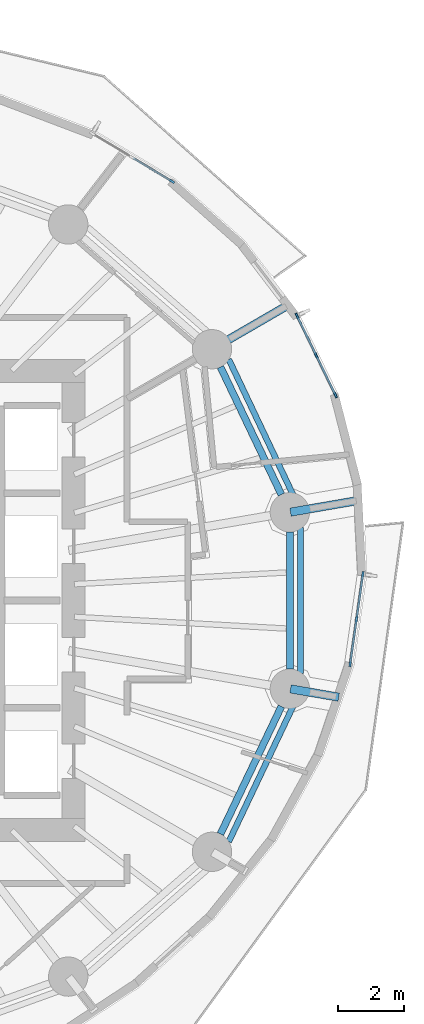
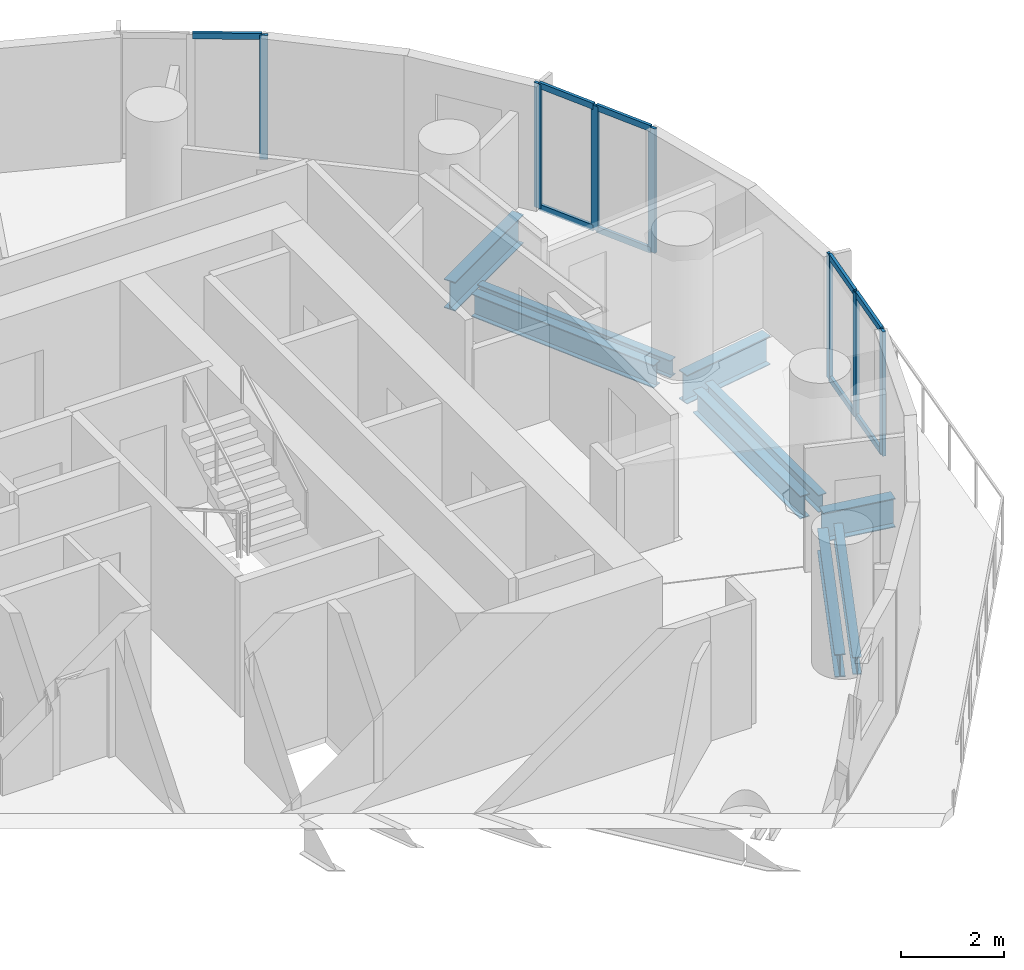
# One storey, part 5 of 14: 16 members, 9 beams, 3 elements without a shape of their own.
"""IFC4 building model written with IfcOpenShell, lengths in metres."""

from ifc_helpers import new_model, si_unit, direction, frame, origin, origin_2d, place, context, subcontext, project, spatial, rectangle, i_section, extrude, material, material_profile, profile_set, type_object, element, aggregate, save


model = new_model("IFC4")

# Units and contexts
model_context = context("Model", 3, precision=1e-05, world=origin(), true_north=direction((0.0, 1.0)))
body_context = subcontext(model_context, "Body", "Model", "MODEL_VIEW")
ifc_project = project(units=[si_unit("LENGTHUNIT", "METRE"), si_unit("AREAUNIT", "SQUARE_METRE"), si_unit("VOLUMEUNIT", "CUBIC_METRE"), si_unit("PLANEANGLEUNIT", "RADIAN"), si_unit("MASSUNIT", "GRAM", prefix="KILO")], contexts=[model_context])

# Site, building, storey
site_placement = place(None, origin())
site = spatial("IfcSite", under=ifc_project, at=site_placement, CompositionType="ELEMENT")
building_placement = place(site_placement, origin())
building = spatial("IfcBuilding", under=site, at=building_placement, Name="Veldorim Arch Residences", CompositionType="ELEMENT")
storey_placement = place(building_placement, frame((0.0, 0.0, 83.679931640625)))
storey = spatial("IfcBuildingStorey", under=building, at=storey_placement, Name="L24", CompositionType="ELEMENT", Elevation=83.679931640625)

# Beams
ifc_material_1 = material(Name="Steel S355", Category="steel")
ifc_material_profile_1 = material_profile(ifc_material_1, i_section(OverallWidth=0.2119140625, OverallDepth=0.54443359375, WebThickness=0.0126953125, FlangeThickness=0.021240234375, at=origin_2d()), Name="UB533x210x122")
ifc_profile_set_1 = profile_set([ifc_material_profile_1], Name="Steel S355")
beam_type_1 = type_object("IfcBeamType", Name="Structural Steel Beam UB533x210x122", PredefinedType="BEAM", material=ifc_profile_set_1)
for number, where, z_axis, x_axis, name in (
    (1, (47.336181640625, 27.233642578125, -0.51220703125), (-0.430720154476, 0.902485539235, 0.0), (-0.902485539235, -0.430720154476, 0.0), "L24 perimeter ring tie beam 01"),
    (2, (45.478759765625, 16.87451171875, -0.51220703125), (0.430720154476, 0.902485539235, 0.0), (-0.902485539235, 0.430720154476, 0.0), "L24 perimeter ring tie beam 15"),
):
    element("IfcBeam", number, at=place(storey_placement, frame(where, z_axis=z_axis, x_axis=x_axis)), inside=storey, type_object=beam_type_1, Name=name, PredefinedType="BEAM", context=body_context, shape_type="SweptSolid", body=[
        extrude(i_section(OverallWidth=0.2119140625, OverallDepth=0.54443359375, WebThickness=0.0126953125, FlangeThickness=0.021240234375, at=origin_2d()), origin(), (0.0, 0.0, 1.0), 4.312255859375),
    ])
beam_1_placement = place(storey_placement, frame((47.594482421875, 21.90771484375, -0.51220703125), z_axis=(0.0, 1.0, 0.0), x_axis=(-1.0, 0.0, 0.0)))
element("IfcBeam", 3, at=beam_1_placement, inside=storey, type_object=beam_type_1, Name="L24 perimeter ring tie beam 16", PredefinedType="BEAM", context=body_context, shape_type="SweptSolid", body=[
    extrude(i_section(OverallWidth=0.2119140625, OverallDepth=0.54443359375, WebThickness=0.0126953125, FlangeThickness=0.021240234375, at=origin_2d()), origin(), (0.0, 0.0, 1.0), 4.1845703125),
])
ifc_material_2 = material(Name="Steel S355", Category="steel")
ifc_material_profile_2 = material_profile(ifc_material_2, i_section(OverallWidth=0.25439453125, OverallDepth=0.6875, WebThickness=0.01318359375, FlangeThickness=0.02099609375, at=origin_2d()), Name="UB686x254x152")
ifc_profile_set_2 = profile_set([ifc_material_profile_2], Name="Steel S355")
beam_type_2 = type_object("IfcBeamType", Name="Structural Steel GIRDER UB686x254x152", PredefinedType="USERDEFINED", material=ifc_profile_set_2)
beam_2_placement = place(storey_placement, frame((47.6142578125, 26.695556640625, -0.583740234375), z_axis=(0.985423467948, 0.170119336988, 0.0), x_axis=(-0.170119336988, 0.985423467948, 0.0)))
element("IfcBeam", 4, at=beam_2_placement, inside=storey, type_object=beam_type_2, Name="L24 radial edge cantilever girder 01", ObjectType="GIRDER", PredefinedType="USERDEFINED", context=body_context, shape_type="SweptSolid", body=[
    extrude(i_section(OverallWidth=0.25439453125, OverallDepth=0.6875, WebThickness=0.01318359375, FlangeThickness=0.02099609375, at=origin_2d()), origin(), (0.0, 0.0, 1.0), 2.11669921875),
])
beam_3_placement = place(storey_placement, frame((45.23779296875, 31.677001953125, -0.583740234375), z_axis=(0.865063665573, 0.501662091956, 0.0), x_axis=(-0.501662091956, 0.865063665573, 0.0)))
element("IfcBeam", 5, at=beam_3_placement, inside=storey, type_object=beam_type_2, Name="L24 radial edge cantilever girder 02", ObjectType="GIRDER", PredefinedType="USERDEFINED", context=body_context, shape_type="SweptSolid", body=[
    extrude(i_section(OverallWidth=0.25439453125, OverallDepth=0.6875, WebThickness=0.01318359375, FlangeThickness=0.02099609375, at=origin_2d()), origin(), (0.0, 0.0, 1.0), 2.67529296875),
])
beam_4_placement = place(storey_placement, frame((47.6142578125, 21.304443359375, -0.583740234375), z_axis=(0.985432749293, -0.170065565652, 0.0), x_axis=(0.170065565652, 0.985432749293, 0.0)))
element("IfcBeam", 6, at=beam_4_placement, inside=storey, type_object=beam_type_2, Name="L24 radial edge cantilever girder 16", ObjectType="GIRDER", PredefinedType="USERDEFINED", context=body_context, shape_type="SweptSolid", body=[
    extrude(i_section(OverallWidth=0.25439453125, OverallDepth=0.6875, WebThickness=0.01318359375, FlangeThickness=0.02099609375, at=origin_2d()), origin(), (0.0, 0.0, 1.0), 1.494384765625),
])
ifc_material_3 = material(Name="Steel S355", Category="steel")
ifc_material_profile_3 = material_profile(ifc_material_3, i_section(OverallWidth=0.1787109375, OverallDepth=0.409423828125, WebThickness=0.0087890625, FlangeThickness=0.014404296875, at=origin_2d()), Name="UB406x178x67")
ifc_profile_set_3 = profile_set([ifc_material_profile_3], Name="Steel S355")
beam_type_3 = type_object("IfcBeamType", Name="Structural Steel Spandrel UB406x178x67", PredefinedType="SPANDREL", material=ifc_profile_set_3)
for number, where, z_axis, x_axis, name in (
    (7, (47.693115234375, 27.225341796875, -0.464599609375), (-0.428857472204, 0.903372165021, 0.0), (-0.903372165021, -0.428857472204, 0.0), "L24 perimeter chord spandrel beam 01"),
    (8, (45.732421875, 16.64453125, -0.464599609375), (0.428857472204, 0.903372165021, 0.0), (-0.903372165021, 0.428857472204, 0.0), "L24 perimeter chord spandrel beam 15"),
):
    element("IfcBeam", number, at=place(storey_placement, frame(where, z_axis=z_axis, x_axis=x_axis)), inside=storey, type_object=beam_type_3, Name=name, PredefinedType="SPANDREL", context=body_context, shape_type="SweptSolid", body=[
        extrude(i_section(OverallWidth=0.1787109375, OverallDepth=0.409423828125, WebThickness=0.0087890625, FlangeThickness=0.014404296875, at=origin_2d()), origin(), (0.0, 0.0, 1.0), 4.572021484375),
    ])
beam_5_placement = place(storey_placement, frame((47.919677734375, 21.77978515625, -0.464599609375), z_axis=(0.0, 1.0, 0.0), x_axis=(-1.0, 0.0, 0.0)))
element("IfcBeam", 9, at=beam_5_placement, inside=storey, type_object=beam_type_3, Name="L24 perimeter chord spandrel beam 16", PredefinedType="SPANDREL", context=body_context, shape_type="SweptSolid", body=[
    extrude(i_section(OverallWidth=0.1787109375, OverallDepth=0.409423828125, WebThickness=0.0087890625, FlangeThickness=0.014404296875, at=origin_2d()), origin(), (0.0, 0.0, 1.0), 4.4404296875),
])

# Curtain wall, members
ifc_material_4 = material(Name="Aluminium", Category="aluminium")
curtain_wall_type = type_object("IfcCurtainWallType", Name="Zone 2 Solar-Control Unitised Curtain Wall", PredefinedType="NOTDEFINED", material=ifc_material_4)
curtain_wall_1_placement = place(storey_placement, origin())
curtain_wall_1 = element("IfcCurtainWall", 10, at=curtain_wall_1_placement, inside=storey, type_object=curtain_wall_type, Name="L24 unitised curtain wall bay 01", PredefinedType="NOTDEFINED")
ifc_material_5 = material(Name="Aluminium", Category="aluminium")
ifc_material_profile_4 = material_profile(ifc_material_5, rectangle(XDim=0.06494140625, YDim=0.1650390625, at=origin_2d()), Name="ALU_MUL_65x165")
ifc_profile_set_4 = profile_set([ifc_material_profile_4], Name="Aluminium")
member_type_1 = type_object("IfcMemberType", Name="Zone 2 Solar-Control Unitised Curtain Wall Mullion 65x165", PredefinedType="MULLION", material=ifc_profile_set_4)
member_1_placement = place(storey_placement, frame((47.81298828125, 32.684326171875, 0.0), z_axis=(0.0, 0.0, 1.0), x_axis=(0.89943933332, 0.437045633403, 0.0)))
member_1 = element("IfcMember", 11, at=member_1_placement, type_object=member_type_1, Name="CW-Z2 mullion 1", PredefinedType="MULLION", context=body_context, shape_type="SweptSolid", body=[
    extrude(rectangle(XDim=0.06494140625, YDim=0.1650390625, at=origin_2d()), origin(), (0.0, 0.0, 1.0), 2.9599609375),
])
member_2_placement = place(storey_placement, frame((48.401611328125, 31.473388671875, 0.0), z_axis=(0.0, 0.0, 1.0), x_axis=(0.89943933332, 0.437045633403, 0.0)))
member_2 = element("IfcMember", 12, at=member_2_placement, type_object=member_type_1, Name="CW-Z2 mullion 2", PredefinedType="MULLION", context=body_context, shape_type="SweptSolid", body=[
    extrude(rectangle(XDim=0.06494140625, YDim=0.1650390625, at=origin_2d()), origin(), (0.0, 0.0, 1.0), 2.9599609375),
])
member_3_placement = place(storey_placement, frame((48.989990234375, 30.262451171875, 0.0), z_axis=(0.0, 0.0, 1.0), x_axis=(0.89943933332, 0.437045633403, 0.0)))
member_3 = element("IfcMember", 13, at=member_3_placement, type_object=member_type_1, Name="CW-Z2 mullion 3", PredefinedType="MULLION", context=body_context, shape_type="SweptSolid", body=[
    extrude(rectangle(XDim=0.06494140625, YDim=0.1650390625, at=origin_2d()), origin(), (0.0, 0.0, 1.0), 2.9599609375),
])

# Curtain wall, member
curtain_wall_2_placement = place(storey_placement, origin())
curtain_wall_2 = element("IfcCurtainWall", 14, at=curtain_wall_2_placement, inside=storey, type_object=curtain_wall_type, Name="L24 unitised curtain wall bay 04", PredefinedType="NOTDEFINED")
member_4_placement = place(storey_placement, frame((43.9990234375, 36.78759765625, 0.0), z_axis=(0.0, 0.0, 1.0), x_axis=(0.514313089023, 0.857602499098, 0.0)))
member_4 = element("IfcMember", 15, at=member_4_placement, type_object=member_type_1, Name="CW-Z2 mullion 3", PredefinedType="MULLION", context=body_context, shape_type="SweptSolid", body=[
    extrude(rectangle(XDim=0.06494140625, YDim=0.1650390625, at=origin_2d()), origin(), (0.0, 0.0, 1.0), 2.9599609375),
])

# Curtain wall, members
curtain_wall_3_placement = place(storey_placement, origin())
curtain_wall_3 = element("IfcCurtainWall", 16, at=curtain_wall_3_placement, inside=storey, type_object=curtain_wall_type, Name="L24 unitised curtain wall bay 34", PredefinedType="NOTDEFINED")
member_5_placement = place(storey_placement, frame((49.8232421875, 24.802001953125, 0.0), z_axis=(0.0, 0.0, 1.0), x_axis=(0.990070536302, -0.140571452105, 0.0)))
member_5 = element("IfcMember", 17, at=member_5_placement, type_object=member_type_1, Name="CW-Z2 mullion 1", PredefinedType="MULLION", context=body_context, shape_type="SweptSolid", body=[
    extrude(rectangle(XDim=0.06494140625, YDim=0.1650390625, at=origin_2d()), origin(), (0.0, 0.0, 1.0), 2.9599609375),
])
member_6_placement = place(storey_placement, frame((49.628662109375, 23.431396484375, 0.0), z_axis=(0.0, 0.0, 1.0), x_axis=(0.990070536302, -0.140571452105, 0.0)))
member_6 = element("IfcMember", 18, at=member_6_placement, type_object=member_type_1, Name="CW-Z2 mullion 2", PredefinedType="MULLION", context=body_context, shape_type="SweptSolid", body=[
    extrude(rectangle(XDim=0.06494140625, YDim=0.1650390625, at=origin_2d()), origin(), (0.0, 0.0, 1.0), 2.9599609375),
])
member_7_placement = place(storey_placement, frame((49.43408203125, 22.06103515625, 0.0), z_axis=(0.0, 0.0, 1.0), x_axis=(0.990070536302, -0.140571452105, 0.0)))
member_7 = element("IfcMember", 19, at=member_7_placement, type_object=member_type_1, Name="CW-Z2 mullion 3", PredefinedType="MULLION", context=body_context, shape_type="SweptSolid", body=[
    extrude(rectangle(XDim=0.06494140625, YDim=0.1650390625, at=origin_2d()), origin(), (0.0, 0.0, 1.0), 2.9599609375),
])

# Member
ifc_material_6 = material(Name="Aluminium", Category="aluminium")
ifc_material_profile_5 = material_profile(ifc_material_6, rectangle(XDim=0.06494140625, YDim=0.14501953125, at=origin_2d()), Name="ALU_TRN_65x145")
ifc_profile_set_5 = profile_set([ifc_material_profile_5], Name="Aluminium")
member_type_2 = type_object("IfcMemberType", Name="Zone 2 Solar-Control Unitised Curtain Wall Transom 65x145", PredefinedType="USERDEFINED", material=ifc_profile_set_5)
member_8_placement = place(storey_placement, frame((47.827392578125, 32.655029296875, 0.032470703125), z_axis=(0.436970043232, -0.899476059335, 0.0), x_axis=(0.899476059335, 0.436970043232, 0.0)))
member_8 = element("IfcMember", 20, at=member_8_placement, type_object=member_type_2, Name="CW-Z2 transom 1.1", ObjectType="TRANSOM", PredefinedType="USERDEFINED", context=body_context, shape_type="SweptSolid", body=[
    extrude(rectangle(XDim=0.06494140625, YDim=0.14501953125, at=origin_2d()), origin(), (0.0, 0.0, 1.0), 1.281005859375),
])

member_9_placement = place(storey_placement, frame((47.827392578125, 32.655029296875, 2.927490234375), z_axis=(0.436970043232, -0.899476059335, 0.0), x_axis=(0.899476059335, 0.436970043232, 0.0)))
member_9 = element("IfcMember", 21, at=member_9_placement, type_object=member_type_2, Name="CW-Z2 transom 1.2", ObjectType="TRANSOM", PredefinedType="USERDEFINED", context=body_context, shape_type="SweptSolid", body=[
    extrude(rectangle(XDim=0.06494140625, YDim=0.14501953125, at=origin_2d()), origin(), (0.0, 0.0, 1.0), 1.281005859375),
])

member_10_placement = place(storey_placement, frame((48.415771484375, 31.444091796875, 0.032470703125), z_axis=(0.436970043232, -0.899476059335, 0.0), x_axis=(0.899476059335, 0.436970043232, 0.0)))
member_10 = element("IfcMember", 22, at=member_10_placement, type_object=member_type_2, Name="CW-Z2 transom 2.1", ObjectType="TRANSOM", PredefinedType="USERDEFINED", context=body_context, shape_type="SweptSolid", body=[
    extrude(rectangle(XDim=0.06494140625, YDim=0.14501953125, at=origin_2d()), origin(), (0.0, 0.0, 1.0), 1.281005859375),
])

member_11_placement = place(storey_placement, frame((48.415771484375, 31.444091796875, 2.927490234375), z_axis=(0.436970043232, -0.899476059335, 0.0), x_axis=(0.899476059335, 0.436970043232, 0.0)))
member_11 = element("IfcMember", 23, at=member_11_placement, type_object=member_type_2, Name="CW-Z2 transom 2.2", ObjectType="TRANSOM", PredefinedType="USERDEFINED", context=body_context, shape_type="SweptSolid", body=[
    extrude(rectangle(XDim=0.06494140625, YDim=0.14501953125, at=origin_2d()), origin(), (0.0, 0.0, 1.0), 1.281005859375),
])

aggregate(curtain_wall_1, [member_1, member_2, member_3, member_8, member_9, member_10, member_11])

member_12_placement = place(storey_placement, frame((42.81201171875, 37.49951171875, 2.927490234375), z_axis=(0.857636334709, -0.514256664894, 0.0), x_axis=(0.514256664894, 0.857636334709, 0.0)))
member_12 = element("IfcMember", 24, at=member_12_placement, type_object=member_type_2, Name="CW-Z2 transom 2.2", ObjectType="TRANSOM", PredefinedType="USERDEFINED", context=body_context, shape_type="SweptSolid", body=[
    extrude(rectangle(XDim=0.06494140625, YDim=0.14501953125, at=origin_2d()), origin(), (0.0, 0.0, 1.0), 1.3515625),
])

aggregate(curtain_wall_2, [member_4, member_12])

member_13_placement = place(storey_placement, frame((49.81884765625, 24.769775390625, 0.032470703125), z_axis=(-0.140644069109, -0.990060223332, 0.0), x_axis=(0.990060223332, -0.140644069109, 0.0)))
member_13 = element("IfcMember", 25, at=member_13_placement, type_object=member_type_2, Name="CW-Z2 transom 1.1", ObjectType="TRANSOM", PredefinedType="USERDEFINED", context=body_context, shape_type="SweptSolid", body=[
    extrude(rectangle(XDim=0.06494140625, YDim=0.14501953125, at=origin_2d()), origin(), (0.0, 0.0, 1.0), 1.3193359375),
])

member_14_placement = place(storey_placement, frame((49.81884765625, 24.769775390625, 2.927490234375), z_axis=(-0.140644069109, -0.990060223332, 0.0), x_axis=(0.990060223332, -0.140644069109, 0.0)))
member_14 = element("IfcMember", 26, at=member_14_placement, type_object=member_type_2, Name="CW-Z2 transom 1.2", ObjectType="TRANSOM", PredefinedType="USERDEFINED", context=body_context, shape_type="SweptSolid", body=[
    extrude(rectangle(XDim=0.06494140625, YDim=0.14501953125, at=origin_2d()), origin(), (0.0, 0.0, 1.0), 1.3193359375),
])

member_15_placement = place(storey_placement, frame((49.624267578125, 23.399169921875, 0.032470703125), z_axis=(-0.140669842386, -0.990056561739, 0.0), x_axis=(0.990056561739, -0.140669842386, 0.0)))
member_15 = element("IfcMember", 27, at=member_15_placement, type_object=member_type_2, Name="CW-Z2 transom 2.1", ObjectType="TRANSOM", PredefinedType="USERDEFINED", context=body_context, shape_type="SweptSolid", body=[
    extrude(rectangle(XDim=0.06494140625, YDim=0.14501953125, at=origin_2d()), origin(), (0.0, 0.0, 1.0), 1.319091796875),
])

member_16_placement = place(storey_placement, frame((49.624267578125, 23.399169921875, 2.927490234375), z_axis=(-0.140669842386, -0.990056561739, 0.0), x_axis=(0.990056561739, -0.140669842386, 0.0)))
member_16 = element("IfcMember", 28, at=member_16_placement, type_object=member_type_2, Name="CW-Z2 transom 2.2", ObjectType="TRANSOM", PredefinedType="USERDEFINED", context=body_context, shape_type="SweptSolid", body=[
    extrude(rectangle(XDim=0.06494140625, YDim=0.14501953125, at=origin_2d()), origin(), (0.0, 0.0, 1.0), 1.319091796875),
])

aggregate(curtain_wall_3, [member_5, member_6, member_7, member_13, member_14, member_15, member_16])

save(model, "model.ifc")
